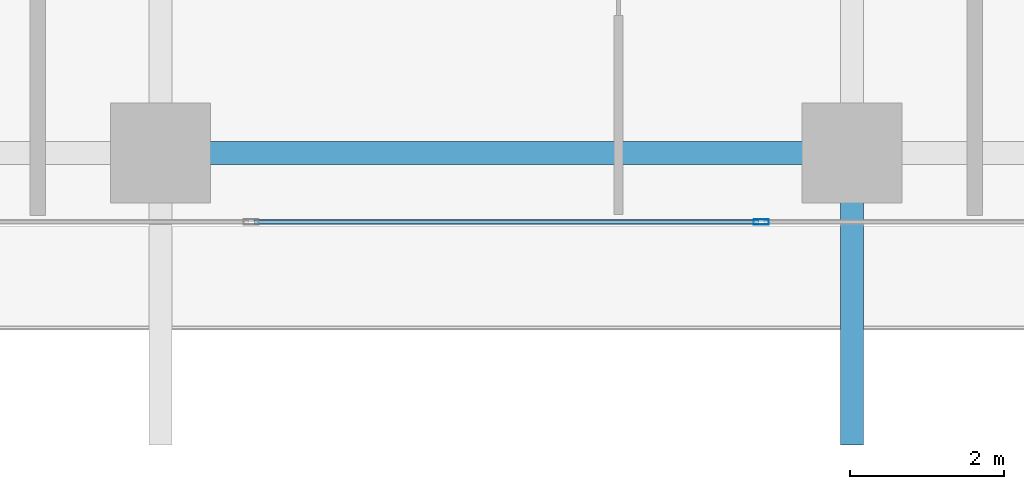
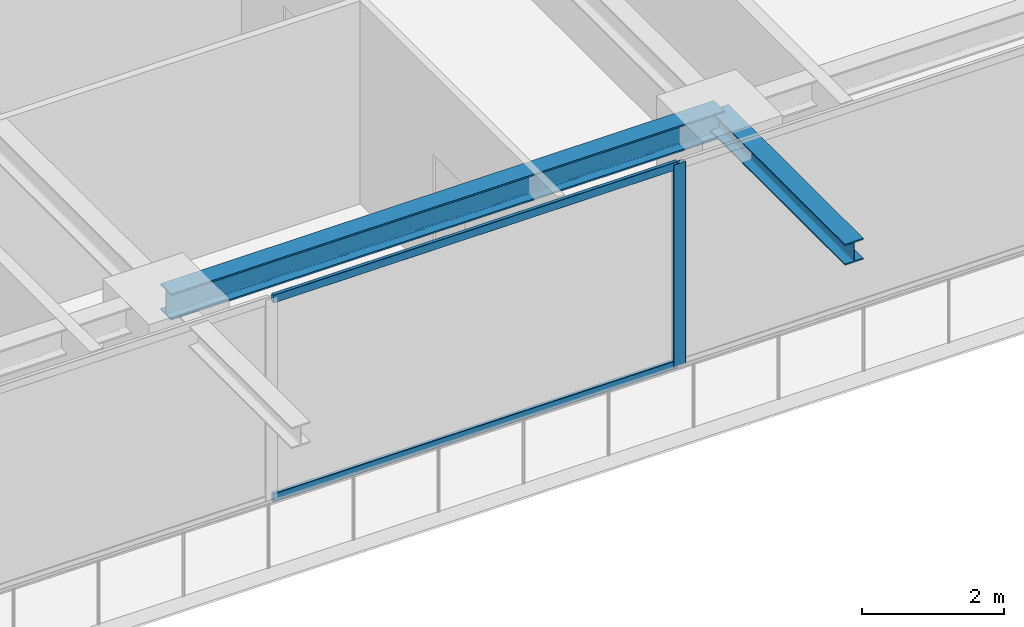
# One storey, part 6 of 38: 3 members, 2 beams, 1 element without a shape of its own.
"""IFC4 building model written with IfcOpenShell, lengths in metres."""

from ifc_helpers import new_model, si_unit, direction, frame, origin, origin_2d, place, context, subcontext, project, spatial, hollow_rectangle, i_section, extrude, source, transform, mapped, material, layer, layer_set, material_profile, profile_set, type_object, element, aggregate, save


model = new_model("IFC4")

# Units and contexts
model_context = context("Model", 3, precision=1e-05, world=origin(), true_north=direction((0.0, 1.0)))
body_context = subcontext(model_context, "Body", "Model", "MODEL_VIEW")
ifc_project = project(units=[si_unit("LENGTHUNIT", "METRE"), si_unit("AREAUNIT", "SQUARE_METRE"), si_unit("VOLUMEUNIT", "CUBIC_METRE"), si_unit("PLANEANGLEUNIT", "RADIAN"), si_unit("MASSUNIT", "GRAM", prefix="KILO")], contexts=[model_context])

# Site, building, storey
site_placement = place(None, origin())
site = spatial("IfcSite", under=ifc_project, at=site_placement, CompositionType="ELEMENT")
building_placement = place(site_placement, origin())
building = spatial("IfcBuilding", under=site, at=building_placement, Name="Serunith Strait Residences", CompositionType="ELEMENT")
storey_placement = place(building_placement, frame((0.0, 0.0, 183.89990234375)))
storey = spatial("IfcBuildingStorey", under=building, at=storey_placement, Name="L46", CompositionType="ELEMENT", Elevation=183.89990234375)

# Beams
ifc_material_1 = material(Name="Steel S355J2", Category="steel")
ifc_material_profile_1 = material_profile(ifc_material_1, i_section(OverallWidth=0.300048828125, OverallDepth=0.449951171875, WebThickness=0.013916015625, FlangeThickness=0.02587890625, FilletRadius=0.027099609375, at=origin_2d()), Name="HEB 450")
ifc_profile_set_1 = profile_set([ifc_material_profile_1], Name="Steel S355J2")
beam_type_1 = type_object("IfcBeamType", Name="BM-HEB450", PredefinedType="BEAM", material=ifc_profile_set_1)
shared_shape_1 = source(origin(), body_context, "Body", "SweptSolid", [
    extrude(i_section(OverallWidth=0.300048828125, OverallDepth=0.449951171875, WebThickness=0.013916015625, FlangeThickness=0.02587890625, FilletRadius=0.027099609375, at=origin_2d()), origin(), (0.0, 0.0, 1.0), 9.0),
])
beam_1_placement = place(storey_placement, frame((27.89990234375, 2.300048828125, 3.26220703125), z_axis=(1.0, 0.0, 0.0), x_axis=(0.0, 1.0, 0.0)))
element("IfcBeam", 1, at=beam_1_placement, inside=storey, type_object=beam_type_1, Name="L46 Perimeter Ring Beam 02", PredefinedType="BEAM", context=body_context, shape_type="MappedRepresentation", body=[
    mapped(shared_shape_1, transform((0.0, 0.0, 0.0), scale=1.0)),
])
ifc_material_profile_2 = material_profile(ifc_material_1, i_section(OverallWidth=0.300048828125, OverallDepth=0.360107421875, WebThickness=0.012451171875, FlangeThickness=0.0224609375, FilletRadius=0.027099609375, at=origin_2d()), Name="HEB 360")
ifc_profile_set_2 = profile_set([ifc_material_profile_2], Name="Steel S355J2")
beam_type_2 = type_object("IfcBeamType", Name="BM-HEB360", PredefinedType="BEAM", material=ifc_profile_set_2)
shared_shape_2 = source(origin(), body_context, "Body", "SweptSolid", [
    extrude(i_section(OverallWidth=0.300048828125, OverallDepth=0.360107421875, WebThickness=0.012451171875, FlangeThickness=0.0224609375, FilletRadius=0.027099609375, at=origin_2d()), origin(), (0.0, 0.0, 1.0), 3.800048828125),
])
beam_2_placement = place(storey_placement, frame((36.89990234375, 2.300048828125, 3.277099609375), z_axis=(0.0, -1.0, 0.0), x_axis=(1.0, 0.0, 0.0)))
element("IfcBeam", 2, at=beam_2_placement, inside=storey, type_object=beam_type_2, Name="L47 Cantilevered Balcony Rib TC-S3", PredefinedType="BEAM", context=body_context, shape_type="MappedRepresentation", body=[
    mapped(shared_shape_2, transform((0.0, 0.0, 0.0), scale=1.0)),
])

# Curtain wall, members
ifc_material_2 = material(Name="Pale-Champagne Anodised Aluminium", Category="aluminium")
ifc_layer = layer(ifc_material_2, 0.199951171875, Name="Pale-Champagne Anodised Aluminium")
ifc_layer_set = layer_set([ifc_layer], Name="Pale-Champagne Anodised Aluminium")
curtain_wall_type = type_object("IfcCurtainWallType", Name="CW-SYS2", PredefinedType="NOTDEFINED", material=ifc_layer_set)
curtain_wall_placement = place(storey_placement, origin())
curtain_wall = element("IfcCurtainWall", 3, at=curtain_wall_placement, inside=storey, type_object=curtain_wall_type, Name="L46 S Unitised Fritted Curtain Wall", PredefinedType="NOTDEFINED")
ifc_material_profile_3 = material_profile(ifc_material_2, hollow_rectangle(XDim=0.070068359375, YDim=0.199951171875, WallThickness=0.00390625, InnerFilletRadius=0.006103515625, OuterFilletRadius=0.010009765625, at=origin_2d()), Name="ALU 200x70x4")
ifc_profile_set_3 = profile_set([ifc_material_profile_3], Name="Pale-Champagne Anodised Aluminium")
member_type_1 = type_object("IfcMemberType", Name="CW-SYS2-MULL", PredefinedType="MULLION", material=ifc_profile_set_3)
shared_shape_3 = source(origin(), body_context, "Body", "SweptSolid", [
    extrude(hollow_rectangle(XDim=0.070068359375, YDim=0.199951171875, WallThickness=0.00390625, InnerFilletRadius=0.006103515625, OuterFilletRadius=0.010009765625, at=origin_2d()), origin(), (0.0, 0.0, 1.0), 3.47509765625),
])
member_1_placement = place(storey_placement, frame((35.719970703125, 1.39990234375, 0.0), z_axis=(0.0, 0.0, 1.0), x_axis=(0.0, 1.0, 0.0)))
member_1 = element("IfcMember", 4, at=member_1_placement, type_object=member_type_1, Name="CW-2 mullion 4", PredefinedType="MULLION", context=body_context, shape_type="MappedRepresentation", body=[
    mapped(shared_shape_3, transform((0.0, 0.0, 0.0), scale=1.0)),
])
ifc_material_profile_4 = material_profile(ifc_material_2, hollow_rectangle(XDim=0.06005859375, YDim=0.139892578125, WallThickness=0.00341796875, InnerFilletRadius=0.00537109375, OuterFilletRadius=0.0087890625, at=origin_2d()), Name="ALU 140x60x3.5")
ifc_profile_set_4 = profile_set([ifc_material_profile_4], Name="Pale-Champagne Anodised Aluminium")
member_type_2 = type_object("IfcMemberType", Name="CW-SYS2-TRAN", PredefinedType="USERDEFINED", material=ifc_profile_set_4)
shared_shape_4 = source(origin(), body_context, "Body", "SweptSolid", [
    extrude(hollow_rectangle(XDim=0.06005859375, YDim=0.139892578125, WallThickness=0.00341796875, InnerFilletRadius=0.00537109375, OuterFilletRadius=0.0087890625, at=origin_2d()), origin(), (0.0, 0.0, 1.0), 6.570068359375),
])
member_2_placement = place(storey_placement, frame((29.114990234375, 1.39990234375, 0.030029296875), z_axis=(1.0, 0.0, 0.0), x_axis=(0.0, 1.0, 0.0)))
member_2 = element("IfcMember", 5, at=member_2_placement, type_object=member_type_2, Name="CW-2 transom 3.1", ObjectType="TRANSOM", PredefinedType="USERDEFINED", context=body_context, shape_type="MappedRepresentation", body=[
    mapped(shared_shape_4, transform((0.0, 0.0, 0.0), scale=1.0)),
])
member_3_placement = place(storey_placement, frame((29.114990234375, 1.39990234375, 3.445068359375), z_axis=(1.0, 0.0, 0.0), x_axis=(0.0, 1.0, 0.0)))
member_3 = element("IfcMember", 6, at=member_3_placement, type_object=member_type_2, Name="CW-2 transom 3.2", ObjectType="TRANSOM", PredefinedType="USERDEFINED", context=body_context, shape_type="MappedRepresentation", body=[
    mapped(shared_shape_4, transform((0.0, 0.0, 0.0), scale=1.0)),
])
aggregate(curtain_wall, [member_1, member_2, member_3])

save(model, "model.ifc")
